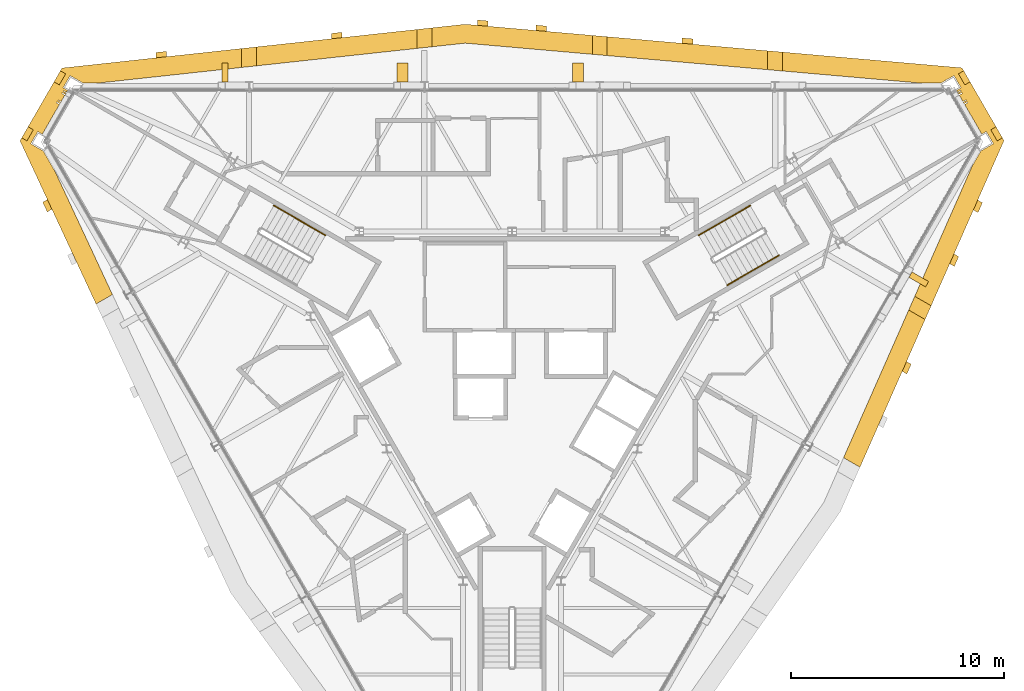
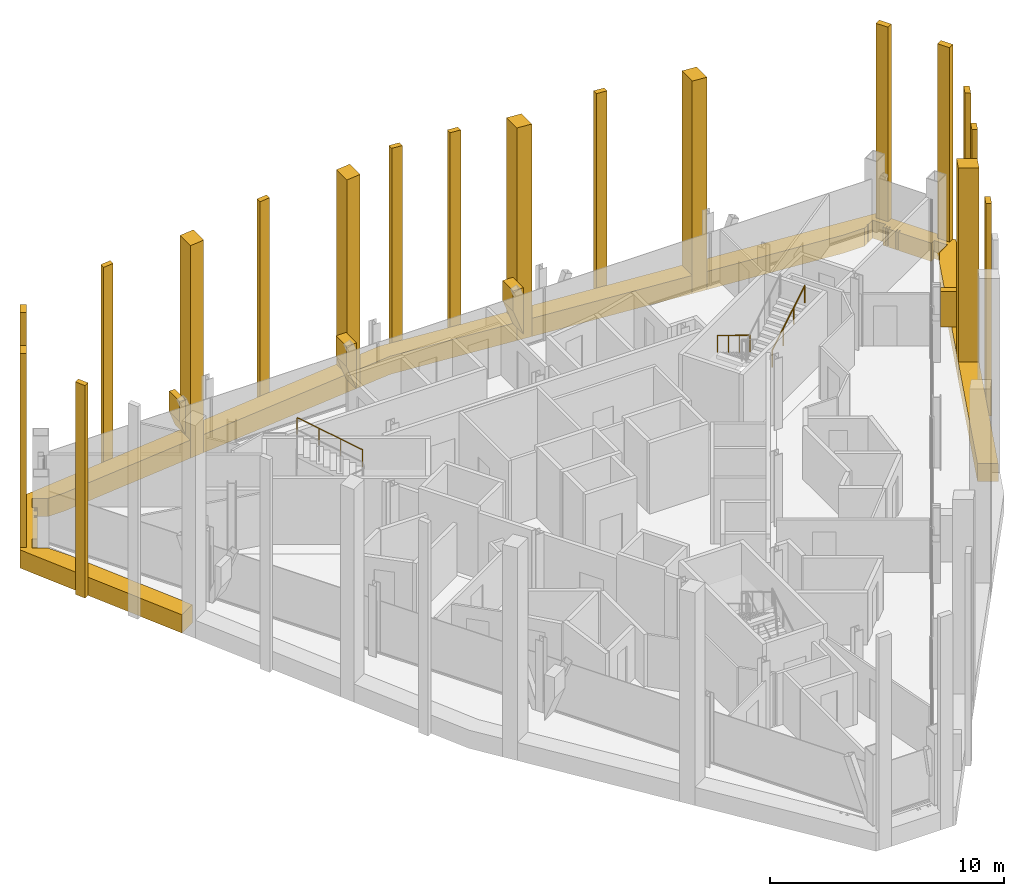
# One storey, part 13 of 13: 28 coverings, 3 railings.
"""IFC4 building model written with IfcOpenShell, lengths in metres."""

import ifcopenshell
import ifcopenshell.guid

model = None  # the IFC model being written
_history = None  # IfcOwnerHistory: only IFC2X3 demands one
_inside = {}  # id of a spatial element -> (the spatial element, [elements in it])
_under = {}  # id of a project, library or spatial element -> (it, [spatial elements below it])
_declared = {}  # id of a project -> (the project, [libraries it declares])
_typed = {}  # id of a type object -> (the type object, [elements of that type])
_made_of = {}  # id of a material, layer set ... -> (it, [elements and type objects made of it])


def new_model(schema):
    """Start an empty IFC model of exactly this schema.

    Asked for "IFC4X3", IfcOpenShell would pick the latest addendum, in which some entities
    have other attributes; the version numbers below select the first issue.
    IFC2X3 requires an IfcOwnerHistory on every rooted entity: one is made here for all.
    """
    global model, _history
    if schema == "IFC4X3":
        model = ifcopenshell.file(schema_version=(4, 3, 0, 0))
    else:
        model = ifcopenshell.file(schema=schema)
    _inside.clear()
    _under.clear()
    _declared.clear()
    _typed.clear()
    _made_of.clear()
    _history = None
    if model.schema == "IFC2X3":
        org = make("IfcOrganization", Name="unknown")
        user = make(
            "IfcPersonAndOrganization",
            ThePerson=make("IfcPerson", FamilyName="unknown"),
            TheOrganization=org,
        )
        app = make(
            "IfcApplication",
            ApplicationDeveloper=org,
            Version="unknown",
            ApplicationFullName="unknown",
            ApplicationIdentifier="unknown",
        )
        _history = make(
            "IfcOwnerHistory",
            OwningUser=user,
            OwningApplication=app,
            ChangeAction="ADDED",
            CreationDate=0,
        )
    return model


def make(cls, **values):
    """One entity of the class cls with the attributes given. An attribute that is None is left unset."""
    return model.create_entity(
        cls, **{name: value for name, value in values.items() if value is not None}
    )


def rooted(cls, **values):
    """An entity with a GlobalId (a new one), such as an element, a storey or a relation."""
    return make(cls, GlobalId=ifcopenshell.guid.new(), OwnerHistory=_history, **values)


def si_unit(unit_type, name, prefix=None):
    """IfcSIUnit, for example si_unit("LENGTHUNIT", "METRE", prefix="MILLI")."""
    return make("IfcSIUnit", UnitType=unit_type, Prefix=prefix, Name=name)


def assignment(units):
    """IfcUnitAssignment: the units of a project."""
    return None if units is None else make("IfcUnitAssignment", Units=units)


def point(xyz):
    """IfcCartesianPoint."""
    return None if xyz is None else make("IfcCartesianPoint", Coordinates=xyz)


def direction(xyz):
    """IfcDirection."""
    return None if xyz is None else make("IfcDirection", DirectionRatios=xyz)


def frame(location, z_axis=None, x_axis=None):
    """IfcAxis2Placement3D, a coordinate frame: its origin and axes. An axis left out is left unset."""
    return make(
        "IfcAxis2Placement3D",
        Location=point(location),
        Axis=direction(z_axis),
        RefDirection=direction(x_axis),
    )


def frame_2d(location, x_axis=None):
    """IfcAxis2Placement2D, a coordinate frame in the plane: its origin and x axis."""
    return make(
        "IfcAxis2Placement2D", Location=point(location), RefDirection=direction(x_axis)
    )


def origin():
    """The frame at (0, 0, 0) with its axes left unset."""
    return frame((0.0, 0.0, 0.0))


def origin_2d():
    """The frame at (0, 0) in the plane with its x axis left unset."""
    return frame_2d((0.0, 0.0))


def place(relative_to, where):
    """IfcLocalPlacement: puts the frame where relative to a parent placement (None: the world)."""
    return make(
        "IfcLocalPlacement", PlacementRelTo=relative_to, RelativePlacement=where
    )


def context(
    kind, dimensions, precision=None, world=None, true_north=None, identifier=None
):
    """IfcGeometricRepresentationContext, for example the 3D "Model" context."""
    return make(
        "IfcGeometricRepresentationContext",
        ContextIdentifier=identifier,
        ContextType=kind,
        CoordinateSpaceDimension=dimensions,
        Precision=precision,
        WorldCoordinateSystem=world,
        TrueNorth=true_north,
    )


def subcontext(parent, identifier, kind, view, scale=None):
    """IfcGeometricRepresentationSubContext, for example "Body" below "Model"."""
    return make(
        "IfcGeometricRepresentationSubContext",
        ContextIdentifier=identifier,
        ContextType=kind,
        ParentContext=parent,
        TargetScale=scale,
        TargetView=view,
    )


def project(units=None, contexts=None):
    """IfcProject with its units and contexts."""
    return rooted(
        "IfcProject",
        Name="project",
        RepresentationContexts=contexts,
        UnitsInContext=assignment(units),
    )


def spatial(cls, under=None, at=None, **own):
    """A site, building, storey or space (cls), placed at a placement, below another one or the project."""
    s = rooted(cls, ObjectPlacement=at, **own)
    if under is not None:
        _under.setdefault(under.id(), (under, []))[1].append(s)
    return s


def polyline(points):
    """IfcPolyline through the points."""
    return make("IfcPolyline", Points=[point(p) for p in points])


def profile(cls, at=None, kind="AREA", **sizes):
    """A parametric profile (cls). Its sizes go by their IFC names, for example OverallWidth=200.0."""
    return make(cls, ProfileType=kind, Position=at, **sizes)


def circle(**sizes):
    """IfcCircleProfileDef."""
    return profile("IfcCircleProfileDef", **sizes)


def outline(outer, holes=None, kind="AREA"):
    """IfcArbitraryClosedProfileDef: a profile drawn as a closed curve; with holes, ...WithVoids."""
    if holes is None:
        return make("IfcArbitraryClosedProfileDef", ProfileType=kind, OuterCurve=outer)
    return make(
        "IfcArbitraryProfileDefWithVoids",
        ProfileType=kind,
        OuterCurve=outer,
        InnerCurves=holes,
    )


def extrude(swept, where, along, depth):
    """IfcExtrudedAreaSolid: the profile swept, set in the frame where, extruded along a direction by depth."""
    return make(
        "IfcExtrudedAreaSolid",
        SweptArea=swept,
        Position=where,
        ExtrudedDirection=direction(along),
        Depth=depth,
    )


def shape(context_of_items, identifier, shape_type, items):
    """IfcShapeRepresentation: the items that make up one representation, for example the "Body"."""
    return make(
        "IfcShapeRepresentation",
        ContextOfItems=context_of_items,
        RepresentationIdentifier=identifier,
        RepresentationType=shape_type,
        Items=items,
    )


def material(Name=None, Category=None):
    """IfcMaterial."""
    return make("IfcMaterial", Name=Name, Category=Category)


def layer(
    of_material, thickness, ventilated=None, Name=None, Category=None, Priority=None
):
    """IfcMaterialLayer: one layer of a wall or slab, of a material (None: an air gap)."""
    return make(
        "IfcMaterialLayer",
        Material=of_material,
        LayerThickness=thickness,
        IsVentilated=ventilated,
        Name=Name,
        Category=Category,
        Priority=Priority,
    )


def layer_set(layers, Name=None):
    """IfcMaterialLayerSet."""
    return make("IfcMaterialLayerSet", MaterialLayers=layers, LayerSetName=Name)


def made_of(thing, what):
    """Note that an element or type object is made of a material, layer set ...; save() writes the relation."""
    if what is not None:
        _made_of.setdefault(what.id(), (what, []))[1].append(thing)
    return thing


def type_object(cls, material=None, **own):
    """A type object (cls), such as IfcWallType, which elements share."""
    return made_of(rooted(cls, **own), material)


def element(
    cls,
    number,
    at=None,
    inside=None,
    cuts=None,
    type_object=None,
    material=None,
    context=None,
    identifier="Body",
    shape_type=None,
    held_by="IfcProductDefinitionShape",
    body=None,
    shapes=None,
    **own,
):
    """One element of the class cls, such as IfcWall. Its Tag is "e" and its number.

    at: its placement. inside: the storey or other place that contains it. cuts: it is an
    opening in that element (IfcRelVoidsElement). A single representation is given by context,
    identifier, shape_type and body (its items); several are given by shapes. held_by: the class
    of the entity that holds the representations. save() writes the other relations.
    """
    e = rooted(cls, Tag="e%d" % number, ObjectPlacement=at, **own)
    if body is not None:
        shapes = [shape(context, identifier, shape_type, body)]
    if shapes is not None:
        e.Representation = make(held_by, Representations=shapes)
    if inside is not None:
        _inside.setdefault(inside.id(), (inside, []))[1].append(e)
    if cuts is not None:
        rooted(
            "IfcRelVoidsElement", RelatingBuildingElement=cuts, RelatedOpeningElement=e
        )
    if type_object is not None:
        _typed.setdefault(type_object.id(), (type_object, []))[1].append(e)
    return made_of(e, material)


def aggregate(whole, parts):
    """IfcRelAggregates: a whole, such as a stair, and the parts it consists of."""
    return rooted("IfcRelAggregates", RelatingObject=whole, RelatedObjects=parts)


def save(model, path):
    """Write the relations noted so far, then the file.

    IfcRelAggregates (storeys below a building ...), IfcRelContainedInSpatialStructure (elements
    in a storey), IfcRelDefinesByType, IfcRelAssociatesMaterial and IfcRelDeclares: one each for
    every whole, place, type object, material and project.
    """
    for whole, parts in _under.values():
        aggregate(whole, parts)
    for where, things in _inside.values():
        rooted(
            "IfcRelContainedInSpatialStructure",
            RelatedElements=things,
            RelatingStructure=where,
        )
    for kind, things in _typed.values():
        rooted("IfcRelDefinesByType", RelatedObjects=things, RelatingType=kind)
    for what, things in _made_of.values():
        rooted("IfcRelAssociatesMaterial", RelatedObjects=things, RelatingMaterial=what)
    for by, libraries in _declared.values():
        rooted("IfcRelDeclares", RelatingContext=by, RelatedDefinitions=libraries)
    model.write(path)


model = new_model("IFC4")

# Units and contexts
model_context = context("Model", 3, precision=1e-05, world=origin(), true_north=direction((0.0, 1.0)))
body_context = subcontext(model_context, "Body", "Model", "MODEL_VIEW")
ifc_project = project(units=[si_unit("LENGTHUNIT", "METRE"), si_unit("AREAUNIT", "SQUARE_METRE"), si_unit("VOLUMEUNIT", "CUBIC_METRE"), si_unit("PLANEANGLEUNIT", "RADIAN"), si_unit("MASSUNIT", "GRAM", prefix="KILO")], contexts=[model_context])

# Site, building, storey
site_placement = place(None, origin())
site = spatial("IfcSite", under=ifc_project, at=site_placement, CompositionType="ELEMENT")
building_placement = place(site_placement, origin())
building = spatial("IfcBuilding", under=site, at=building_placement, Name="Verrane Prism Tower", CompositionType="ELEMENT")
storey_placement = place(building_placement, frame((0.0, 0.0, 286.199951171875)))
storey = spatial("IfcBuildingStorey", under=building, at=storey_placement, Name="L72", CompositionType="ELEMENT", Elevation=286.199951171875)

# Railings
ifc_material_1 = material(Name="Steel A36 tube", Category="steel")
railing_type = type_object("IfcRailingType", Name="Stair handrail 900 steel tube", PredefinedType="HANDRAIL", material=ifc_material_1)
railing_1_placement = place(storey_placement, frame((11.189453125, 8.01904296875, 0.168212890625)))
element("IfcRailing", 1, at=railing_1_placement, inside=storey, type_object=railing_type, Name="Stair 1 handrail", PredefinedType="HANDRAIL", context=body_context, shape_type="SweptSolid", body=[
    extrude(circle(Radius=0.02392578125, at=origin_2d()), frame((0.0, 0.0, 0.8759765625), z_axis=(-0.742390482028, -0.42860119049, 0.514934356695), x_axis=(0.49998411664, -0.866034573852, 0.0)), (0.0, 0.0, 1.0), 3.26611328125),
    extrude(circle(Radius=0.02099609375, at=origin_2d()), origin(), (0.0, 0.0, 1.0), 0.851806640625),
    extrude(circle(Radius=0.02099609375, at=origin_2d()), frame((-0.808349609375, -0.466552734375, 0.560546875)), (0.0, 0.0, 1.0), 0.851806640625),
    extrude(circle(Radius=0.02099609375, at=origin_2d()), frame((-1.616455078125, -0.933349609375, 1.121337890625)), (0.0, 0.0, 1.0), 0.851806640625),
    extrude(circle(Radius=0.02099609375, at=origin_2d()), frame((-2.4248046875, -1.39990234375, 1.681884765625)), (0.0, 0.0, 1.0), 0.851806640625),
])
railing_2_placement = place(storey_placement, frame((10.11474609375, 4.28076171875, 2.018310546875)))
element("IfcRailing", 2, at=railing_2_placement, inside=storey, type_object=railing_type, Name="Stair 1 handrail", PredefinedType="HANDRAIL", context=body_context, shape_type="SweptSolid", body=[
    extrude(circle(Radius=0.02392578125, at=origin_2d()), frame((0.0, 0.0, 0.8759765625), z_axis=(0.742395268701, 0.428678701772, 0.514862928999), x_axis=(-0.500049511043, 0.865996816683, 0.0)), (0.0, 0.0, 1.0), 3.26611328125),
    extrude(circle(Radius=0.02099609375, at=origin_2d()), origin(), (0.0, 0.0, 1.0), 0.851806640625),
    extrude(circle(Radius=0.02099609375, at=origin_2d()), frame((0.808349609375, 0.466796875, 0.560546875)), (0.0, 0.0, 1.0), 0.851806640625),
    extrude(circle(Radius=0.02099609375, at=origin_2d()), frame((1.616455078125, 0.933349609375, 1.12109375)), (0.0, 0.0, 1.0), 0.851806640625),
    extrude(circle(Radius=0.02099609375, at=origin_2d()), frame((2.4248046875, 1.400146484375, 1.681640625)), (0.0, 0.0, 1.0), 0.851806640625),
])
railing_3_placement = place(storey_placement, frame((-8.7646484375, 6.619140625, 2.018310546875)))
element("IfcRailing", 3, at=railing_3_placement, inside=storey, type_object=railing_type, Name="Stair 2 handrail", PredefinedType="HANDRAIL", context=body_context, shape_type="SweptSolid", body=[
    extrude(circle(Radius=0.02392578125, at=origin_2d()), frame((0.0, 0.0, 0.8759765625), z_axis=(-0.74241905619, 0.428617687091, 0.514879426), x_axis=(-0.49998411664, -0.866034573852, 0.0)), (0.0, 0.0, 1.0), 3.26611328125),
    extrude(circle(Radius=0.02099609375, at=origin_2d()), origin(), (0.0, 0.0, 1.0), 0.851806640625),
    extrude(circle(Radius=0.02099609375, at=origin_2d()), frame((-0.808349609375, 0.466552734375, 0.560546875)), (0.0, 0.0, 1.0), 0.851806640625),
    extrude(circle(Radius=0.02099609375, at=origin_2d()), frame((-1.616455078125, 0.933349609375, 1.12109375)), (0.0, 0.0, 1.0), 0.851806640625),
    extrude(circle(Radius=0.02099609375, at=origin_2d()), frame((-2.4248046875, 1.39990234375, 1.681640625)), (0.0, 0.0, 1.0), 0.851806640625),
])

# Coverings
ifc_material_2 = material(Name="Warm limestone cladding", Category="masonry")
ifc_layer_1 = layer(ifc_material_2, 0.89990234375)
ifc_layer_set_1 = layer_set([ifc_layer_1], Name="Stone brace fin 900")
covering_type_1 = type_object("IfcCoveringType", Name="Stone brace fin 900", PredefinedType="CLADDING", material=ifc_layer_set_1)
for number, where, z_axis, x_axis, name in (
    (4, (3.346923828125, 14.27783203125, 0.32080078125), (0.0, 0.0, 1.0), (-1.0, 0.0, 0.0), "Stone brace fin N3 L72"),
    (5, (-4.89306640625, 14.27783203125, 0.32080078125), (0.0, 0.0, 1.0), (-1.0, 0.0, 0.0), "Stone brace fin N4 L72"),
):
    element("IfcCovering", number, at=place(storey_placement, frame(where, z_axis=z_axis, x_axis=x_axis)), inside=storey, type_object=covering_type_1, Name=name, PredefinedType="CLADDING", context=body_context, shape_type="SweptSolid", body=[
        extrude(outline(polyline([(0.5068359375, 2.42919921875), (0.0, 2.42919921875), (0.0, 0.0), (0.5068359375, 1.365478515625), (0.5068359375, 2.42919921875)])), frame((0.0, 0.449951171875, 0.0), z_axis=(0.0, -1.0, 0.0), x_axis=(1.0, 0.0, 0.0)), (0.0, 0.0, 1.0), 0.89990234375),
    ])
covering_1_placement = place(storey_placement, frame((-13.347412109375, 14.27783203125, 0.8984375), z_axis=(0.0, 0.0, 1.0), x_axis=(-1.0, 0.0, 0.0)))
element("IfcCovering", 6, at=covering_1_placement, inside=storey, type_object=covering_type_1, Name="Stone brace fin N5 L72", PredefinedType="CLADDING", context=body_context, shape_type="SweptSolid", body=[
    extrude(outline(polyline([(0.29248046875, 1.8515625), (0.0, 1.8515625), (0.0, 0.0), (0.29248046875, 0.787841796875), (0.29248046875, 1.8515625)])), frame((0.0, 0.449951171875, 0.0), z_axis=(0.0, -1.0, 0.0), x_axis=(1.0, 0.0, 0.0)), (0.0, 0.0, 1.0), 0.89990234375),
])
covering_2_placement = place(storey_placement, frame((19.03759765625, 4.421875, 0.899169921875), z_axis=(0.0, 0.0, 1.0), x_axis=(0.499192406143, 0.866491166515, 0.0)))
element("IfcCovering", 7, at=covering_2_placement, inside=storey, type_object=covering_type_1, Name="Stone brace fin SE5 L72", PredefinedType="CLADDING", context=body_context, shape_type="SweptSolid", body=[
    extrude(outline(polyline([(0.29248046875, 1.850830078125), (0.0, 1.850830078125), (0.0, 0.0), (0.29248046875, 0.78759765625), (0.29248046875, 1.850830078125)])), frame((0.0, 0.449951171875, 0.0), z_axis=(0.0, -1.0, 0.0), x_axis=(1.0, 0.0, 0.0)), (0.0, 0.0, 1.0), 0.89990234375),
])
ifc_material_3 = material(Name="Warm limestone cladding", Category="masonry")
covering_type_2 = type_object("IfcCoveringType", Name="Stone corner pier 600", PredefinedType="CLADDING", material=ifc_material_3)
covering_3_placement = place(storey_placement, frame((0.0, 0.0, -0.949951171875)))
element("IfcCovering", 8, at=covering_3_placement, inside=storey, type_object=covering_type_2, Name="Stone pier MC-NE.a L72-L74", PredefinedType="CLADDING", context=body_context, shape_type="SweptSolid", body=[
    extrude(outline(polyline([(22.4931640625, 11.578857421875), (22.5087890625, 11.5517578125), (22.793212890625, 11.05908203125), (23.039794921875, 11.20166015625), (22.73974609375, 11.72119140625), (22.4931640625, 11.578857421875)])), origin(), (0.0, 0.0, 1.0), 11.10009765625),
])
covering_4_placement = place(storey_placement, frame((0.0, 0.0, -0.949951171875)))
element("IfcCovering", 9, at=covering_4_placement, inside=storey, type_object=covering_type_2, Name="Stone pier MC-NE.b L72-L74", PredefinedType="CLADDING", context=body_context, shape_type="SweptSolid", body=[
    extrude(outline(polyline([(20.97412109375, 14.209716796875), (20.98974609375, 14.182861328125), (21.274169921875, 13.690185546875), (21.520751953125, 13.83251953125), (21.220703125, 14.352294921875), (20.97412109375, 14.209716796875)])), origin(), (0.0, 0.0, 1.0), 11.10009765625),
])
covering_5_placement = place(storey_placement, frame((0.0, 0.0, -0.949951171875)))
element("IfcCovering", 10, at=covering_5_placement, inside=storey, type_object=covering_type_2, Name="Stone pier MC-NW.a L72-L74", PredefinedType="CLADDING", context=body_context, shape_type="SweptSolid", body=[
    extrude(outline(polyline([(-21.274169921875, 13.690185546875), (-20.97412109375, 14.209716796875), (-21.220703125, 14.352294921875), (-21.520751953125, 13.83251953125), (-21.274169921875, 13.690185546875)])), origin(), (0.0, 0.0, 1.0), 11.10009765625),
])
covering_6_placement = place(storey_placement, frame((0.0, 0.0, -0.949951171875)))
element("IfcCovering", 11, at=covering_6_placement, inside=storey, type_object=covering_type_2, Name="Stone pier MC-NW.b L72-L74", PredefinedType="CLADDING", context=body_context, shape_type="SweptSolid", body=[
    extrude(outline(polyline([(-22.793212890625, 11.05908203125), (-22.4931640625, 11.578857421875), (-22.73974609375, 11.72119140625), (-23.039794921875, 11.20166015625), (-22.793212890625, 11.05908203125)])), origin(), (0.0, 0.0, 1.0), 11.10009765625),
])
ifc_material_4 = material(Name="Warm limestone cladding", Category="masonry")
covering_type_3 = type_object("IfcCoveringType", Name="Stone mullion pier 500", PredefinedType="CLADDING", material=ifc_material_4)
covering_7_placement = place(storey_placement, frame((0.0, 0.0, -0.949951171875)))
element("IfcCovering", 12, at=covering_7_placement, inside=storey, type_object=covering_type_3, Name="Stone pier SM-N1.1 L72-L74", PredefinedType="CLADDING", context=body_context, shape_type="SweptSolid", body=[
    extrude(outline(polyline([(7.99169921875, 15.64453125), (8.49169921875, 15.6005859375), (8.49169921875, 15.8515625), (7.99169921875, 15.8955078125), (7.99169921875, 15.64453125)])), origin(), (0.0, 0.0, 1.0), 11.10009765625),
])
covering_8_placement = place(storey_placement, frame((0.0, 0.0, -0.949951171875)))
element("IfcCovering", 13, at=covering_8_placement, inside=storey, type_object=covering_type_3, Name="Stone pier SM-N2.1 L72-L74", PredefinedType="CLADDING", context=body_context, shape_type="SweptSolid", body=[
    extrude(outline(polyline([(1.12353515625, 16.246826171875), (1.62353515625, 16.202880859375), (1.62353515625, 16.4541015625), (1.12353515625, 16.497802734375), (1.12353515625, 16.246826171875)])), origin(), (0.0, 0.0, 1.0), 11.10009765625),
])
covering_9_placement = place(storey_placement, frame((0.0, 0.0, -0.949951171875)))
element("IfcCovering", 14, at=covering_9_placement, inside=storey, type_object=covering_type_3, Name="Stone pier SM-N2.2 L72-L74", PredefinedType="CLADDING", context=body_context, shape_type="SweptSolid", body=[
    extrude(outline(polyline([(-1.62353515625, 16.48779296875), (-1.12353515625, 16.444091796875), (-1.12353515625, 16.69482421875), (-1.62353515625, 16.73876953125), (-1.62353515625, 16.48779296875)])), origin(), (0.0, 0.0, 1.0), 11.10009765625),
])
covering_10_placement = place(storey_placement, frame((0.0, 0.0, -0.949951171875)))
element("IfcCovering", 15, at=covering_10_placement, inside=storey, type_object=covering_type_3, Name="Stone pier SM-N3.1 L72-L74", PredefinedType="CLADDING", context=body_context, shape_type="SweptSolid", body=[
    extrude(outline(polyline([(-8.49169921875, 15.856201171875), (-7.99169921875, 15.910400390625), (-7.99169921875, 16.161865234375), (-8.49169921875, 16.107666015625), (-8.49169921875, 15.856201171875)])), origin(), (0.0, 0.0, 1.0), 11.10009765625),
])
covering_11_placement = place(storey_placement, frame((0.0, 0.0, -0.949951171875)))
element("IfcCovering", 16, at=covering_11_placement, inside=storey, type_object=covering_type_3, Name="Stone pier SM-N4.1 L72-L74", PredefinedType="CLADDING", context=body_context, shape_type="SweptSolid", body=[
    extrude(outline(polyline([(-16.733642578125, 14.960693359375), (-16.233642578125, 15.014892578125), (-16.233642578125, 15.266357421875), (-16.733642578125, 15.212158203125), (-16.733642578125, 14.960693359375)])), origin(), (0.0, 0.0, 1.0), 11.10009765625),
])
covering_12_placement = place(storey_placement, frame((0.0, 0.0, -0.949951171875)))
element("IfcCovering", 17, at=covering_12_placement, inside=storey, type_object=covering_type_3, Name="Stone pier SM-SW0.1 L72-L74", PredefinedType="CLADDING", context=body_context, shape_type="SweptSolid", body=[
    extrude(outline(polyline([(-21.62158203125, 7.847900390625), (-21.833740234375, 8.302734375), (-22.051025390625, 8.17724609375), (-21.839111328125, 7.722412109375), (-21.62158203125, 7.847900390625)])), origin(), (0.0, 0.0, 1.0), 11.10009765625),
])
covering_13_placement = place(storey_placement, frame((0.0, 0.0, -0.949951171875)))
element("IfcCovering", 18, at=covering_13_placement, inside=storey, type_object=covering_type_3, Name="Stone pier SM-SE3.2 L72-L74", PredefinedType="CLADDING", context=body_context, shape_type="SweptSolid", body=[
    extrude(outline(polyline([(18.535400390625, 0.690185546875), (18.332275390625, 0.22998046875), (18.550048828125, 0.1044921875), (18.7529296875, 0.564697265625), (18.535400390625, 0.690185546875)])), origin(), (0.0, 0.0, 1.0), 11.10009765625),
])
covering_14_placement = place(storey_placement, frame((0.0, 0.0, -0.949951171875)))
element("IfcCovering", 19, at=covering_14_placement, inside=storey, type_object=covering_type_3, Name="Stone pier SM-SE4.1 L72-L74", PredefinedType="CLADDING", context=body_context, shape_type="SweptSolid", body=[
    extrude(outline(polyline([(20.765380859375, 5.747314453125), (20.5625, 5.287109375), (20.7802734375, 5.161376953125), (20.9833984375, 5.621337890625), (20.765380859375, 5.747314453125)])), origin(), (0.0, 0.0, 1.0), 11.10009765625),
])
covering_15_placement = place(storey_placement, frame((0.0, 0.0, -0.949951171875)))
element("IfcCovering", 20, at=covering_15_placement, inside=storey, type_object=covering_type_3, Name="Stone pier SM-SE4.2 L72-L74", PredefinedType="CLADDING", context=body_context, shape_type="SweptSolid", body=[
    extrude(outline(polyline([(21.880615234375, 8.275634765625), (21.677734375, 7.8154296875), (21.8955078125, 7.689697265625), (22.098388671875, 8.14990234375), (21.880615234375, 8.275634765625)])), origin(), (0.0, 0.0, 1.0), 11.10009765625),
])
ifc_material_5 = material(Name="Warm limestone cladding", Category="masonry")
covering_type_4 = type_object("IfcCoveringType", Name="Stone pier 700", PredefinedType="CLADDING", material=ifc_material_5)
covering_16_placement = place(storey_placement, frame((0.0, 0.0, -0.949951171875)))
element("IfcCovering", 21, at=covering_16_placement, inside=storey, type_object=covering_type_4, Name="Stone pier PC-N1 L72-L74", PredefinedType="CLADDING", context=body_context, shape_type="SweptSolid", body=[
    extrude(outline(polyline([(12.0126953125, 15.291748046875), (12.0126953125, 14.403564453125), (12.712646484375, 14.34228515625), (12.712646484375, 15.23046875), (12.0126953125, 15.291748046875)])), origin(), (0.0, 0.0, 1.0), 11.10009765625),
])
covering_17_placement = place(storey_placement, frame((0.0, 0.0, -0.949951171875)))
element("IfcCovering", 22, at=covering_17_placement, inside=storey, type_object=covering_type_4, Name="Stone pier PC-N2 L72-L74", PredefinedType="CLADDING", context=body_context, shape_type="SweptSolid", body=[
    extrude(outline(polyline([(3.77099609375, 16.0146484375), (3.77099609375, 15.12646484375), (4.470947265625, 15.065185546875), (4.470947265625, 15.953369140625), (3.77099609375, 16.0146484375)])), origin(), (0.0, 0.0, 1.0), 11.10009765625),
])
covering_18_placement = place(storey_placement, frame((0.0, 0.0, -0.949951171875)))
element("IfcCovering", 23, at=covering_18_placement, inside=storey, type_object=covering_type_4, Name="Stone pier PC-N3 L72-L74", PredefinedType="CLADDING", context=body_context, shape_type="SweptSolid", body=[
    extrude(outline(polyline([(-4.470947265625, 16.29296875), (-4.470947265625, 15.403076171875), (-3.77099609375, 15.47900390625), (-3.77099609375, 16.369140625), (-4.470947265625, 16.29296875)])), origin(), (0.0, 0.0, 1.0), 11.10009765625),
])
covering_19_placement = place(storey_placement, frame((0.0, 0.0, -0.949951171875)))
element("IfcCovering", 24, at=covering_19_placement, inside=storey, type_object=covering_type_4, Name="Stone pier PC-N4 L72-L74", PredefinedType="CLADDING", context=body_context, shape_type="SweptSolid", body=[
    extrude(outline(polyline([(-12.712646484375, 15.3974609375), (-12.712646484375, 14.507568359375), (-12.0126953125, 14.58349609375), (-12.0126953125, 15.4736328125), (-12.712646484375, 15.3974609375)])), origin(), (0.0, 0.0, 1.0), 11.10009765625),
])
covering_20_placement = place(storey_placement, frame((0.0, 0.0, -0.949951171875)))
element("IfcCovering", 25, at=covering_20_placement, inside=storey, type_object=covering_type_4, Name="Stone pier PC-SE4 L72-L74", PredefinedType="CLADDING", context=body_context, shape_type="SweptSolid", body=[
    extrude(outline(polyline([(19.69091796875, 3.310791015625), (18.920166015625, 3.755859375), (18.635986328125, 3.111572265625), (19.40673828125, 2.66650390625), (19.69091796875, 3.310791015625)])), origin(), (0.0, 0.0, 1.0), 11.10009765625),
])
ifc_material_6 = material(Name="Warm limestone cladding", Category="masonry")
ifc_layer_2 = layer(ifc_material_6, 0.449951171875)
ifc_layer_set_2 = layer_set([ifc_layer_2], Name="Stone spandrel band 450")
covering_type_5 = type_object("IfcCoveringType", Name="Stone spandrel band 450", PredefinedType="CLADDING", material=ifc_layer_set_2)
covering_21_placement = place(storey_placement, frame((0.0, 0.0, -0.949951171875)))
element("IfcCovering", 26, at=covering_21_placement, inside=storey, type_object=covering_type_5, Name="Stone spandrel band L72 part 1", PredefinedType="CLADDING", context=body_context, shape_type="SweptSolid", body=[
    extrude(outline(polyline([(12.712646484375, 15.23046875), (12.712646484375, 14.34228515625), (19.084228515625, 13.783447265625), (20.1708984375, 13.783447265625), (20.38427734375, 13.906494140625), (20.38427734375, 13.949951171875), (20.459716796875, 13.949951171875), (20.76416015625, 14.125732421875), (21.093994140625, 13.55419921875), (20.8837890625, 13.432861328125), (20.93701171875, 13.3408203125), (21.077880859375, 13.42236328125), (21.0927734375, 13.39697265625), (20.95166015625, 13.315185546875), (20.9921875, 13.2451171875), (21.13330078125, 13.32666015625), (21.15673828125, 13.2861328125), (21.015625, 13.20458984375), (21.190185546875, 12.90234375), (21.331298828125, 12.984130859375), (21.34619140625, 12.95849609375), (21.204833984375, 12.876953125), (21.245361328125, 12.806640625), (21.38671875, 12.888427734375), (21.41015625, 12.847900390625), (21.268798828125, 12.76611328125), (22.07275390625, 11.373779296875), (22.2841796875, 11.495849609375), (22.614013671875, 10.92431640625), (22.027099609375, 10.585205078125), (21.625244140625, 9.889404296875), (18.920166015625, 3.755859375), (19.69091796875, 3.310791015625), (23.1142578125, 11.07275390625), (23.039794921875, 11.20166015625), (22.793212890625, 11.05908203125), (22.4931640625, 11.578857421875), (22.73974609375, 11.72119140625), (21.520751953125, 13.83251953125), (21.274169921875, 13.690185546875), (20.97412109375, 14.209716796875), (21.220703125, 14.352294921875), (21.140380859375, 14.4912109375), (12.712646484375, 15.23046875)])), origin(), (0.0, 0.0, 1.0), 0.949951171875),
])
covering_22_placement = place(storey_placement, frame((0.0, 0.0, -0.949951171875)))
element("IfcCovering", 27, at=covering_22_placement, inside=storey, type_object=covering_type_5, Name="Stone spandrel band L72 part 2", PredefinedType="CLADDING", context=body_context, shape_type="SweptSolid", body=[
    extrude(outline(polyline([(-18.777099609375, 3.83837890625), (-21.478759765625, 9.6357421875), (-22.027099609375, 10.585205078125), (-22.614013671875, 10.92431640625), (-22.2841796875, 11.495849609375), (-22.07275390625, 11.373779296875), (-21.268798828125, 12.76611328125), (-21.41015625, 12.847900390625), (-21.38671875, 12.888427734375), (-21.245361328125, 12.806640625), (-21.204833984375, 12.876953125), (-21.34619140625, 12.95849609375), (-21.331298828125, 12.984130859375), (-21.190185546875, 12.90234375), (-21.015625, 13.20458984375), (-21.15673828125, 13.2861328125), (-21.13330078125, 13.32666015625), (-20.9921875, 13.2451171875), (-20.95166015625, 13.315185546875), (-21.0927734375, 13.39697265625), (-21.077880859375, 13.42236328125), (-20.93701171875, 13.3408203125), (-20.8837890625, 13.432861328125), (-21.093994140625, 13.55419921875), (-20.76416015625, 14.125732421875), (-20.1708984375, 13.783447265625), (-19.377197265625, 13.783447265625), (-12.712646484375, 14.507568359375), (-12.712646484375, 15.3974609375), (-21.146240234375, 14.481201171875), (-21.220703125, 14.352294921875), (-20.97412109375, 14.209716796875), (-21.274169921875, 13.690185546875), (-21.520751953125, 13.83251953125), (-22.73974609375, 11.72119140625), (-22.4931640625, 11.578857421875), (-22.793212890625, 11.05908203125), (-23.039794921875, 11.20166015625), (-23.1201171875, 11.0625), (-19.54638671875, 3.394287109375), (-18.777099609375, 3.83837890625)])), origin(), (0.0, 0.0, 1.0), 0.949951171875),
])
covering_23_placement = place(storey_placement, frame((0.0, 0.0, -0.949951171875)))
element("IfcCovering", 28, at=covering_23_placement, inside=storey, type_object=covering_type_5, Name="Stone spandrel band L72 part 9", PredefinedType="CLADDING", context=body_context, shape_type="SweptSolid", body=[
    extrude(outline(polyline([(18.635986328125, 3.111572265625), (15.57470703125, -3.82958984375), (16.345703125, -4.274658203125), (17.21728515625, -2.29833984375), (19.40673828125, 2.66650390625), (18.635986328125, 3.111572265625)])), origin(), (0.0, 0.0, 1.0), 0.949951171875),
])
covering_24_placement = place(storey_placement, frame((0.0, 0.0, -0.949951171875)))
element("IfcCovering", 29, at=covering_24_placement, inside=storey, type_object=covering_type_5, Name="Stone spandrel band L72 part 10", PredefinedType="CLADDING", context=body_context, shape_type="SweptSolid", body=[
    extrude(outline(polyline([(4.470947265625, 15.065185546875), (12.0126953125, 14.403564453125), (12.0126953125, 15.291748046875), (4.470947265625, 15.953369140625), (4.470947265625, 15.065185546875)])), origin(), (0.0, 0.0, 1.0), 0.949951171875),
])
covering_25_placement = place(storey_placement, frame((0.0, 0.0, -0.949951171875)))
element("IfcCovering", 30, at=covering_25_placement, inside=storey, type_object=covering_type_5, Name="Stone spandrel band L72 part 11", PredefinedType="CLADDING", context=body_context, shape_type="SweptSolid", body=[
    extrude(outline(polyline([(-3.77099609375, 16.369140625), (-3.77099609375, 15.47900390625), (-2.19775390625, 15.64990234375), (3.77099609375, 15.12646484375), (3.77099609375, 16.0146484375), (-2.20703125, 16.5390625), (-3.77099609375, 16.369140625)])), origin(), (0.0, 0.0, 1.0), 0.949951171875),
])
covering_26_placement = place(storey_placement, frame((0.0, 0.0, -0.949951171875)))
element("IfcCovering", 31, at=covering_26_placement, inside=storey, type_object=covering_type_5, Name="Stone spandrel band L72 part 12", PredefinedType="CLADDING", context=body_context, shape_type="SweptSolid", body=[
    extrude(outline(polyline([(-12.0126953125, 14.58349609375), (-4.470947265625, 15.403076171875), (-4.470947265625, 16.29296875), (-12.0126953125, 15.4736328125), (-12.0126953125, 14.58349609375)])), origin(), (0.0, 0.0, 1.0), 0.949951171875),
])

save(model, "model.ifc")
